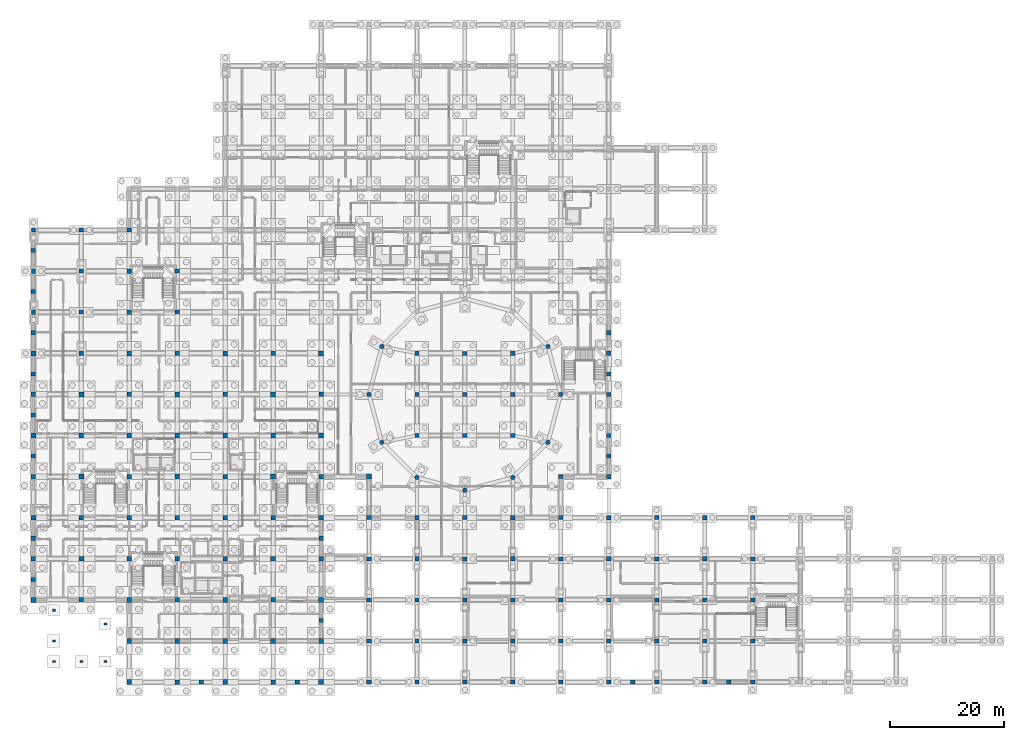
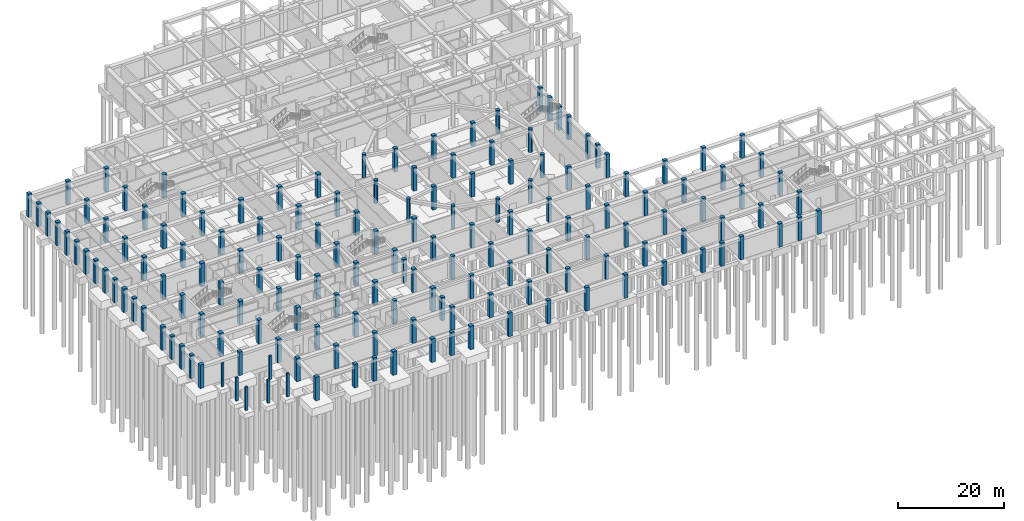
# One storey, part 9 of 32: 162 columns.
"""IFC4 building model written with IfcOpenShell, lengths in metres."""

from ifc_helpers import new_model, si_unit, derived_unit, direction, frame, origin, origin_2d, place, context, subcontext, project, spatial, rectangle, circle, extrude, material, material_profile, profile_set, type_object, element, save


model = new_model("IFC4")

# Units and contexts
model_context = context("Model", 3, precision=1e-05, world=origin(), true_north=direction((0.0, 1.0)))
body_context = subcontext(model_context, "Body", "Model", "MODEL_VIEW")
ifc_project = project(units=[si_unit("LENGTHUNIT", "METRE"), si_unit("AREAUNIT", "SQUARE_METRE"), si_unit("VOLUMEUNIT", "CUBIC_METRE"), si_unit("PLANEANGLEUNIT", "RADIAN"), si_unit("MASSUNIT", "GRAM", prefix="KILO"), derived_unit("THERMALTRANSMITTANCEUNIT", [(si_unit("POWERUNIT", "WATT"), 1), (si_unit("LENGTHUNIT", "METRE"), -2), (si_unit("THERMODYNAMICTEMPERATUREUNIT", "KELVIN"), -1)])], contexts=[model_context])

# Site, building, storey
site_placement = place(None, origin())
site = spatial("IfcSite", under=ifc_project, at=site_placement, CompositionType="ELEMENT")
building_placement = place(site_placement, origin())
building = spatial("IfcBuilding", under=site, at=building_placement, Name="Veybourne Emporium", CompositionType="ELEMENT")
storey_placement = place(building_placement, frame((0.0, 0.0, -5.39990234375)))
storey = spatial("IfcBuildingStorey", under=building, at=storey_placement, Name="B1", CompositionType="ELEMENT", Elevation=-5.39990234375)

# Columns
ifc_material = material(Name="Concrete C40/50", Category="concrete")
ifc_material_profile_1 = material_profile(ifc_material, rectangle(XDim=0.85009765625, YDim=0.85009765625, at=origin_2d()), Name="RC 850x850")
ifc_profile_set_1 = profile_set([ifc_material_profile_1], Name="Concrete C40/50")
column_type_1 = type_object("IfcColumnType", Name="Col_C-01", PredefinedType="COLUMN", material=ifc_profile_set_1)
for number, where, z_axis, x_axis, name in (
    (1, (8.39990234375, 21.60009765625, 0.0), (0.0, 0.0, 1.0), (1.0, 0.0, 0.0), "Column C-01 B1 (1,3)"),
    (2, (8.39990234375, 36.0, 0.0), (0.0, 0.0, 1.0), (1.0, 0.0, 0.0), "Column C-01 B1 (1,5)"),
    (3, (8.39990234375, 50.39990234375, 0.0), (0.0, 0.0, 1.0), (1.0, 0.0, 0.0), "Column C-01 B1 (1,7)"),
    (4, (16.800048828125, 14.39990234375, 0.0), (0.0, 0.0, 1.0), (1.0, 0.0, 0.0), "Column C-01 B1 (2,2)"),
    (5, (16.800048828125, 28.800048828125, 0.0), (0.0, 0.0, 1.0), (1.0, 0.0, 0.0), "Column C-01 B1 (2,4)"),
    (6, (16.800048828125, 43.199951171875, 0.0), (0.0, 0.0, 1.0), (1.0, 0.0, 0.0), "Column C-01 B1 (2,6)"),
    (7, (16.800048828125, 57.60009765625, 0.0), (0.0, 0.0, 1.0), (1.0, 0.0, 0.0), "Column C-01 B1 (2,8)"),
    (8, (25.199951171875, 7.199951171875, 0.0), (0.0, 0.0, 1.0), (1.0, 0.0, 0.0), "Column C-01 B1 (3,1)"),
    (9, (25.199951171875, 21.60009765625, 0.0), (0.0, 0.0, 1.0), (1.0, 0.0, 0.0), "Column C-01 B1 (3,3)"),
    (10, (25.199951171875, 36.0, 0.0), (0.0, 0.0, 1.0), (1.0, 0.0, 0.0), "Column C-01 B1 (3,5)"),
    (11, (25.199951171875, 50.39990234375, 0.0), (0.0, 0.0, 1.0), (1.0, 0.0, 0.0), "Column C-01 B1 (3,7)"),
    (12, (33.60009765625, 14.39990234375, 0.0), (0.0, 0.0, 1.0), (1.0, 0.0, 0.0), "Column C-01 B1 (4,2)"),
    (13, (33.60009765625, 28.800048828125, 0.0), (0.0, 0.0, 1.0), (1.0, 0.0, 0.0), "Column C-01 B1 (4,4)"),
    (14, (33.60009765625, 43.199951171875, 0.0), (0.0, 0.0, 1.0), (1.0, 0.0, 0.0), "Column C-01 B1 (4,6)"),
    (15, (33.60009765625, 57.60009765625, 0.0), (0.0, 0.0, 1.0), (1.0, 0.0, 0.0), "Column C-01 B1 (4,8)"),
    (16, (42.0, 7.199951171875, 0.0), (0.0, 0.0, 1.0), (1.0, 0.0, 0.0), "Column C-01 B1 (5,1)"),
    (17, (42.0, 21.60009765625, 0.0), (0.0, 0.0, 1.0), (1.0, 0.0, 0.0), "Column C-01 B1 (5,3)"),
    (18, (42.0, 36.0, 0.0), (0.0, 0.0, 1.0), (1.0, 0.0, 0.0), "Column C-01 B1 (5,5)"),
    (19, (42.0, 50.39990234375, 0.0), (0.0, 0.0, 1.0), (1.0, 0.0, 0.0), "Column C-01 B1 (5,7)"),
    (20, (50.39990234375, 14.39990234375, 0.0), (0.0, 0.0, 1.0), (1.0, 0.0, 0.0), "Column C-01 B1 (6,2)"),
    (21, (50.39990234375, 28.800048828125, 0.0), (0.0, 0.0, 1.0), (1.0, 0.0, 0.0), "Column C-01 B1 (6,4)"),
    (22, (50.39990234375, 43.199951171875, 0.0), (0.0, 0.0, 1.0), (1.0, 0.0, 0.0), "Column C-01 B1 (6,6)"),
    (23, (50.39990234375, 57.60009765625, 0.0), (0.0, 0.0, 1.0), (1.0, 0.0, 0.0), "Column C-01 B1 (6,8)"),
    (24, (58.800048828125, 36.0, 0.0), (0.0, 0.0, 1.0), (1.0, 0.0, 0.0), "Column C-01 B1 (7,5)"),
):
    element("IfcColumn", number, at=place(storey_placement, frame(where, z_axis=z_axis, x_axis=x_axis)), inside=storey, type_object=column_type_1, Name=name, PredefinedType="COLUMN", context=body_context, shape_type="SweptSolid", body=[
        extrude(rectangle(XDim=0.85009765625, YDim=0.85009765625, at=origin_2d()), origin(), (0.0, 0.0, 1.0), 5.39990234375),
    ])
ifc_material_profile_2 = material_profile(ifc_material, rectangle(XDim=0.800048828125, YDim=0.800048828125, at=origin_2d()), Name="RC 800x800")
ifc_profile_set_2 = profile_set([ifc_material_profile_2], Name="Concrete C40/50")
column_type_2 = type_object("IfcColumnType", Name="Col_C-02", PredefinedType="COLUMN", material=ifc_profile_set_2)
for number, where, z_axis, x_axis, name in (
    (25, (8.39990234375, 14.39990234375, 0.0), (0.0, 0.0, 1.0), (1.0, 0.0, 0.0), "Column C-02 B1 (1,2)"),
    (26, (8.39990234375, 28.800048828125, 0.0), (0.0, 0.0, 1.0), (1.0, 0.0, 0.0), "Column C-02 B1 (1,4)"),
    (27, (8.39990234375, 43.199951171875, 0.0), (0.0, 0.0, 1.0), (1.0, 0.0, 0.0), "Column C-02 B1 (1,6)"),
    (28, (8.39990234375, 57.60009765625, 0.0), (0.0, 0.0, 1.0), (1.0, 0.0, 0.0), "Column C-02 B1 (1,8)"),
    (29, (16.800048828125, 7.199951171875, 0.0), (0.0, 0.0, 1.0), (1.0, 0.0, 0.0), "Column C-02 B1 (2,1)"),
    (30, (16.800048828125, 21.60009765625, 0.0), (0.0, 0.0, 1.0), (1.0, 0.0, 0.0), "Column C-02 B1 (2,3)"),
    (31, (16.800048828125, 36.0, 0.0), (0.0, 0.0, 1.0), (1.0, 0.0, 0.0), "Column C-02 B1 (2,5)"),
    (32, (16.800048828125, 50.39990234375, 0.0), (0.0, 0.0, 1.0), (1.0, 0.0, 0.0), "Column C-02 B1 (2,7)"),
    (33, (25.199951171875, 14.39990234375, 0.0), (0.0, 0.0, 1.0), (1.0, 0.0, 0.0), "Column C-02 B1 (3,2)"),
    (34, (25.199951171875, 28.800048828125, 0.0), (0.0, 0.0, 1.0), (1.0, 0.0, 0.0), "Column C-02 B1 (3,4)"),
    (35, (25.199951171875, 43.199951171875, 0.0), (0.0, 0.0, 1.0), (1.0, 0.0, 0.0), "Column C-02 B1 (3,6)"),
    (36, (25.199951171875, 57.60009765625, 0.0), (0.0, 0.0, 1.0), (1.0, 0.0, 0.0), "Column C-02 B1 (3,8)"),
    (37, (33.60009765625, 7.199951171875, 0.0), (0.0, 0.0, 1.0), (1.0, 0.0, 0.0), "Column C-02 B1 (4,1)"),
    (38, (33.60009765625, 21.60009765625, 0.0), (0.0, 0.0, 1.0), (1.0, 0.0, 0.0), "Column C-02 B1 (4,3)"),
    (39, (33.60009765625, 36.0, 0.0), (0.0, 0.0, 1.0), (1.0, 0.0, 0.0), "Column C-02 B1 (4,5)"),
    (40, (33.60009765625, 50.39990234375, 0.0), (0.0, 0.0, 1.0), (1.0, 0.0, 0.0), "Column C-02 B1 (4,7)"),
    (41, (42.0, 14.39990234375, 0.0), (0.0, 0.0, 1.0), (1.0, 0.0, 0.0), "Column C-02 B1 (5,2)"),
    (42, (42.0, 28.800048828125, 0.0), (0.0, 0.0, 1.0), (1.0, 0.0, 0.0), "Column C-02 B1 (5,4)"),
    (43, (42.0, 43.199951171875, 0.0), (0.0, 0.0, 1.0), (1.0, 0.0, 0.0), "Column C-02 B1 (5,6)"),
    (44, (42.0, 57.60009765625, 0.0), (0.0, 0.0, 1.0), (1.0, 0.0, 0.0), "Column C-02 B1 (5,8)"),
    (45, (50.39990234375, 7.199951171875, 0.0), (0.0, 0.0, 1.0), (1.0, 0.0, 0.0), "Column C-02 B1 (6,1)"),
    (46, (50.39990234375, 21.60009765625, 0.0), (0.0, 0.0, 1.0), (1.0, 0.0, 0.0), "Column C-02 B1 (6,3)"),
    (47, (50.39990234375, 36.0, 0.0), (0.0, 0.0, 1.0), (1.0, 0.0, 0.0), "Column C-02 B1 (6,5)"),
    (48, (50.39990234375, 50.39990234375, 0.0), (0.0, 0.0, 1.0), (1.0, 0.0, 0.0), "Column C-02 B1 (6,7)"),
):
    element("IfcColumn", number, at=place(storey_placement, frame(where, z_axis=z_axis, x_axis=x_axis)), inside=storey, type_object=column_type_2, Name=name, PredefinedType="COLUMN", context=body_context, shape_type="SweptSolid", body=[
        extrude(rectangle(XDim=0.800048828125, YDim=0.800048828125, at=origin_2d()), origin(), (0.0, 0.0, 1.0), 5.39990234375),
    ])
ifc_material_profile_3 = material_profile(ifc_material, rectangle(XDim=0.75, YDim=0.75, at=origin_2d()), Name="RC 750x750")
ifc_profile_set_3 = profile_set([ifc_material_profile_3], Name="Concrete C40/50")
column_type_3 = type_object("IfcColumnType", Name="Col_C-03", PredefinedType="COLUMN", material=ifc_profile_set_3)
for number, where, z_axis, x_axis, name in (
    (49, (16.800048828125, 64.800048828125, 0.0), (0.0, 0.0, 1.0), (1.0, 0.0, 0.0), "Column C-03 B1 (2,9)"),
    (50, (16.800048828125, 72.0, 0.0), (0.0, 0.0, 1.0), (1.0, 0.0, 0.0), "Column C-03 B1 (2,10)"),
    (51, (16.800048828125, 79.199951171875, 0.0), (0.0, 0.0, 1.0), (1.0, 0.0, 0.0), "Column C-03 B1 (2,11)"),
    (52, (67.199951171875, 7.199951171875, 0.0), (0.0, 0.0, 1.0), (1.0, 0.0, 0.0), "Column C-03 B1 (8,1)"),
    (53, (67.199951171875, 14.39990234375, 0.0), (0.0, 0.0, 1.0), (1.0, 0.0, 0.0), "Column C-03 B1 (8,2)"),
    (54, (67.199951171875, 21.60009765625, 0.0), (0.0, 0.0, 1.0), (1.0, 0.0, 0.0), "Column C-03 B1 (8,3)"),
    (55, (67.199951171875, 28.800048828125, 0.0), (0.0, 0.0, 1.0), (1.0, 0.0, 0.0), "Column C-03 B1 (8,4)"),
    (56, (67.199951171875, 43.199951171875, 0.0), (0.0, 0.0, 1.0), (1.0, 0.0, 0.0), "Column C-03 B1 (8,6)"),
    (57, (67.199951171875, 50.39990234375, 0.0), (0.0, 0.0, 1.0), (1.0, 0.0, 0.0), "Column C-03 B1 (8,7)"),
    (58, (67.199951171875, 57.60009765625, 0.0), (0.0, 0.0, 1.0), (1.0, 0.0, 0.0), "Column C-03 B1 (8,8)"),
    (59, (84.0, 7.199951171875, 0.0), (0.0, 0.0, 1.0), (1.0, 0.0, 0.0), "Column C-03 B1 (10,1)"),
    (60, (84.0, 14.39990234375, 0.0), (0.0, 0.0, 1.0), (1.0, 0.0, 0.0), "Column C-03 B1 (10,2)"),
    (61, (84.0, 21.60009765625, 0.0), (0.0, 0.0, 1.0), (1.0, 0.0, 0.0), "Column C-03 B1 (10,3)"),
    (62, (84.0, 28.800048828125, 0.0), (0.0, 0.0, 1.0), (1.0, 0.0, 0.0), "Column C-03 B1 (10,4)"),
    (63, (84.0, 43.199951171875, 0.0), (0.0, 0.0, 1.0), (1.0, 0.0, 0.0), "Column C-03 B1 (10,6)"),
    (64, (84.0, 50.39990234375, 0.0), (0.0, 0.0, 1.0), (1.0, 0.0, 0.0), "Column C-03 B1 (10,7)"),
    (65, (84.0, 57.60009765625, 0.0), (0.0, 0.0, 1.0), (1.0, 0.0, 0.0), "Column C-03 B1 (10,8)"),
    (66, (100.800048828125, 7.199951171875, 0.0), (0.0, 0.0, 1.0), (1.0, 0.0, 0.0), "Column C-03 B1 (12,1)"),
    (67, (100.800048828125, 14.39990234375, 0.0), (0.0, 0.0, 1.0), (1.0, 0.0, 0.0), "Column C-03 B1 (12,2)"),
    (68, (100.800048828125, 21.60009765625, 0.0), (0.0, 0.0, 1.0), (1.0, 0.0, 0.0), "Column C-03 B1 (12,3)"),
    (69, (100.800048828125, 28.800048828125, 0.0), (0.0, 0.0, 1.0), (1.0, 0.0, 0.0), "Column C-03 B1 (12,4)"),
    (70, (100.800048828125, 36.0, 0.0), (0.0, 0.0, 1.0), (1.0, 0.0, 0.0), "Column C-03 B1 (12,5)"),
    (71, (100.800048828125, 43.199951171875, 0.0), (0.0, 0.0, 1.0), (1.0, 0.0, 0.0), "Column C-03 B1 (12,6)"),
    (72, (100.800048828125, 50.39990234375, 0.0), (0.0, 0.0, 1.0), (1.0, 0.0, 0.0), "Column C-03 B1 (12,7)"),
    (73, (100.800048828125, 57.60009765625, 0.0), (0.0, 0.0, 1.0), (1.0, 0.0, 0.0), "Column C-03 B1 (12,8)"),
    (74, (117.60009765625, 7.199951171875, 0.0), (0.0, 0.0, 1.0), (1.0, 0.0, 0.0), "Column C-03 B1 (14,1)"),
    (75, (117.60009765625, 14.39990234375, 0.0), (0.0, 0.0, 1.0), (1.0, 0.0, 0.0), "Column C-03 B1 (14,2)"),
    (76, (117.60009765625, 21.60009765625, 0.0), (0.0, 0.0, 1.0), (1.0, 0.0, 0.0), "Column C-03 B1 (14,3)"),
    (77, (117.60009765625, 28.800048828125, 0.0), (0.0, 0.0, 1.0), (1.0, 0.0, 0.0), "Column C-03 B1 (14,4)"),
):
    element("IfcColumn", number, at=place(storey_placement, frame(where, z_axis=z_axis, x_axis=x_axis)), inside=storey, type_object=column_type_3, Name=name, PredefinedType="COLUMN", context=body_context, shape_type="SweptSolid", body=[
        extrude(rectangle(XDim=0.75, YDim=0.75, at=origin_2d()), origin(), (0.0, 0.0, 1.0), 5.39990234375),
    ])
ifc_material_profile_4 = material_profile(ifc_material, rectangle(XDim=0.800048828125, YDim=0.699951171875, at=origin_2d()), Name="RC 800x700")
ifc_profile_set_4 = profile_set([ifc_material_profile_4], Name="Concrete C40/50")
column_type_4 = type_object("IfcColumnType", Name="Col_C-10", PredefinedType="COLUMN", material=ifc_profile_set_4)
for number, where, z_axis, x_axis, name in (
    (78, (8.39990234375, 64.800048828125, 0.0), (0.0, 0.0, 1.0), (1.0, 0.0, 0.0), "Column C-10 B1 (1,9)"),
    (79, (8.39990234375, 72.0, 0.0), (0.0, 0.0, 1.0), (1.0, 0.0, 0.0), "Column C-10 B1 (1,10)"),
    (80, (8.39990234375, 79.199951171875, 0.0), (0.0, 0.0, 1.0), (1.0, 0.0, 0.0), "Column C-10 B1 (1,11)"),
    (81, (25.199951171875, 64.800048828125, 0.0), (0.0, 0.0, 1.0), (1.0, 0.0, 0.0), "Column C-10 B1 (3,9)"),
    (82, (25.199951171875, 72.0, 0.0), (0.0, 0.0, 1.0), (1.0, 0.0, 0.0), "Column C-10 B1 (3,10)"),
    (83, (58.800048828125, 7.199951171875, 0.0), (0.0, 0.0, 1.0), (1.0, 0.0, 0.0), "Column C-10 B1 (7,1)"),
    (84, (58.800048828125, 14.39990234375, 0.0), (0.0, 0.0, 1.0), (1.0, 0.0, 0.0), "Column C-10 B1 (7,2)"),
    (85, (58.800048828125, 21.60009765625, 0.0), (0.0, 0.0, 1.0), (1.0, 0.0, 0.0), "Column C-10 B1 (7,3)"),
    (86, (58.800048828125, 28.800048828125, 0.0), (0.0, 0.0, 1.0), (1.0, 0.0, 0.0), "Column C-10 B1 (7,4)"),
    (87, (75.60009765625, 7.199951171875, 0.0), (0.0, 0.0, 1.0), (1.0, 0.0, 0.0), "Column C-10 B1 (9,1)"),
    (88, (75.60009765625, 14.39990234375, 0.0), (0.0, 0.0, 1.0), (1.0, 0.0, 0.0), "Column C-10 B1 (9,2)"),
    (89, (75.60009765625, 21.60009765625, 0.0), (0.0, 0.0, 1.0), (1.0, 0.0, 0.0), "Column C-10 B1 (9,3)"),
    (90, (75.60009765625, 28.800048828125, 0.0), (0.0, 0.0, 1.0), (1.0, 0.0, 0.0), "Column C-10 B1 (9,4)"),
    (91, (75.60009765625, 43.199951171875, 0.0), (0.0, 0.0, 1.0), (1.0, 0.0, 0.0), "Column C-10 B1 (9,6)"),
    (92, (75.60009765625, 50.39990234375, 0.0), (0.0, 0.0, 1.0), (1.0, 0.0, 0.0), "Column C-10 B1 (9,7)"),
    (93, (75.60009765625, 57.60009765625, 0.0), (0.0, 0.0, 1.0), (1.0, 0.0, 0.0), "Column C-10 B1 (9,8)"),
    (94, (92.39990234375, 7.199951171875, 0.0), (0.0, 0.0, 1.0), (1.0, 0.0, 0.0), "Column C-10 B1 (11,1)"),
    (95, (92.39990234375, 14.39990234375, 0.0), (0.0, 0.0, 1.0), (1.0, 0.0, 0.0), "Column C-10 B1 (11,2)"),
    (96, (92.39990234375, 21.60009765625, 0.0), (0.0, 0.0, 1.0), (1.0, 0.0, 0.0), "Column C-10 B1 (11,3)"),
    (97, (92.39990234375, 28.800048828125, 0.0), (0.0, 0.0, 1.0), (1.0, 0.0, 0.0), "Column C-10 B1 (11,4)"),
    (98, (92.39990234375, 36.0, 0.0), (0.0, 0.0, 1.0), (1.0, 0.0, 0.0), "Column C-10 B1 (11,5)"),
    (99, (109.199951171875, 7.199951171875, 0.0), (0.0, 0.0, 1.0), (1.0, 0.0, 0.0), "Column C-10 B1 (13,1)"),
    (100, (109.199951171875, 14.39990234375, 0.0), (0.0, 0.0, 1.0), (1.0, 0.0, 0.0), "Column C-10 B1 (13,2)"),
    (101, (109.199951171875, 21.60009765625, 0.0), (0.0, 0.0, 1.0), (1.0, 0.0, 0.0), "Column C-10 B1 (13,3)"),
    (102, (109.199951171875, 28.800048828125, 0.0), (0.0, 0.0, 1.0), (1.0, 0.0, 0.0), "Column C-10 B1 (13,4)"),
    (103, (126.0, 7.199951171875, 0.0), (0.0, 0.0, 1.0), (1.0, 0.0, 0.0), "Column C-10 B1 (15,1)"),
    (104, (126.0, 14.39990234375, 0.0), (0.0, 0.0, 1.0), (1.0, 0.0, 0.0), "Column C-10 B1 (15,2)"),
    (105, (126.0, 21.60009765625, 0.0), (0.0, 0.0, 1.0), (1.0, 0.0, 0.0), "Column C-10 B1 (15,3)"),
    (106, (126.0, 28.800048828125, 0.0), (0.0, 0.0, 1.0), (1.0, 0.0, 0.0), "Column C-10 B1 (15,4)"),
):
    element("IfcColumn", number, at=place(storey_placement, frame(where, z_axis=z_axis, x_axis=x_axis)), inside=storey, type_object=column_type_4, Name=name, PredefinedType="COLUMN", context=body_context, shape_type="SweptSolid", body=[
        extrude(rectangle(XDim=0.800048828125, YDim=0.699951171875, at=origin_2d()), origin(), (0.0, 0.0, 1.0), 5.39990234375),
    ])
ifc_material_profile_5 = material_profile(ifc_material, rectangle(XDim=0.5, YDim=0.3798828125, at=origin_2d()), Name="RC 500x380")
ifc_profile_set_5 = profile_set([ifc_material_profile_5], Name="Concrete C40/50")
column_type_5 = type_object("IfcColumnType", Name="Col_C-12", PredefinedType="COLUMN", material=ifc_profile_set_5)
for number, where, z_axis, x_axis, name in (
    (107, (12.60009765625, 3.60009765625, 0.0), (0.0, 0.0, 1.0), (1.0, 0.0, 0.0), "Canopy pedestal column 01"),
    (108, (12.60009765625, 10.199951171875, 0.0), (0.0, 0.0, 1.0), (1.0, 0.0, 0.0), "Canopy pedestal column 02"),
    (109, (3.60009765625, 12.60009765625, 0.0), (0.0, 0.0, 1.0), (1.0, 0.0, 0.0), "Canopy pedestal column 03"),
    (110, (3.60009765625, 7.199951171875, 0.0), (0.0, 0.0, 1.0), (1.0, 0.0, 0.0), "Canopy pedestal column 04"),
    (111, (3.60009765625, 3.60009765625, 0.0), (0.0, 0.0, 1.0), (1.0, 0.0, 0.0), "Canopy pedestal column 05"),
    (112, (8.39990234375, 3.60009765625, 0.0), (0.0, 0.0, 1.0), (1.0, 0.0, 0.0), "Canopy pedestal column 06"),
):
    element("IfcColumn", number, at=place(storey_placement, frame(where, z_axis=z_axis, x_axis=x_axis)), inside=storey, type_object=column_type_5, Name=name, PredefinedType="COLUMN", context=body_context, shape_type="SweptSolid", body=[
        extrude(rectangle(XDim=0.5, YDim=0.3798828125, at=origin_2d()), origin(), (0.0, 0.0, 1.0), 5.39990234375),
    ])
ifc_material_profile_6 = material_profile(ifc_material, circle(Radius=0.39990234375, at=origin_2d()), Name="RC D800")
ifc_profile_set_6 = profile_set([ifc_material_profile_6], Name="Concrete C40/50")
column_type_6 = type_object("IfcColumnType", Name="Col_CD-01", PredefinedType="COLUMN", material=ifc_profile_set_6)
for number, where, z_axis, x_axis, name in (
    (113, (92.39990234375, 50.39990234375, 0.0), (0.0, 0.0, 1.0), (1.0, 0.0, 0.0), "Atrium drum column CD-01 B1-01"),
    (114, (90.149169921875, 58.800048828125, 0.0), (0.0, 0.0, 1.0), (1.0, 0.0, 0.0), "Atrium drum column CD-01 B1-02"),
    (115, (61.05078125, 58.800048828125, 0.0), (0.0, 0.0, 1.0), (1.0, 0.0, 0.0), "Atrium drum column CD-01 B1-06"),
    (116, (58.800048828125, 50.39990234375, 0.0), (0.0, 0.0, 1.0), (1.0, 0.0, 0.0), "Atrium drum column CD-01 B1-07"),
    (117, (61.05078125, 42.0, 0.0), (0.0, 0.0, 1.0), (1.0, 0.0, 0.0), "Atrium drum column CD-01 B1-08"),
    (118, (67.199951171875, 35.850830078125, 0.0), (0.0, 0.0, 1.0), (1.0, 0.0, 0.0), "Atrium drum column CD-01 B1-09"),
    (119, (75.60009765625, 33.60009765625, 0.0), (0.0, 0.0, 1.0), (1.0, 0.0, 0.0), "Atrium drum column CD-01 B1-10"),
    (120, (84.0, 35.850830078125, 0.0), (0.0, 0.0, 1.0), (1.0, 0.0, 0.0), "Atrium drum column CD-01 B1-11"),
    (121, (90.149169921875, 42.0, 0.0), (0.0, 0.0, 1.0), (1.0, 0.0, 0.0), "Atrium drum column CD-01 B1-12"),
):
    element("IfcColumn", number, at=place(storey_placement, frame(where, z_axis=z_axis, x_axis=x_axis)), inside=storey, type_object=column_type_6, Name=name, PredefinedType="COLUMN", context=body_context, shape_type="SweptSolid", body=[
        extrude(circle(Radius=0.39990234375, at=origin_2d()), origin(), (0.0, 0.0, 1.0), 5.39990234375),
    ])
ifc_material_profile_7 = material_profile(ifc_material, rectangle(XDim=0.85009765625, YDim=0.85009765625, at=origin_2d()), Name="RC 850x850")
ifc_profile_set_7 = profile_set([ifc_material_profile_7], Name="Concrete C40/50")
column_type_7 = type_object("IfcColumnType", Name="Col_CE-01", PredefinedType="COLUMN", material=ifc_profile_set_7)
for number, where, z_axis, x_axis, name in (
    (122, (0.0, 14.39990234375, 0.0), (0.0, 0.0, 1.0), (1.0, 0.0, 0.0), "Column CE-01 B1 (0,2)"),
    (123, (0.0, 28.800048828125, 0.0), (0.0, 0.0, 1.0), (1.0, 0.0, 0.0), "Column CE-01 B1 (0,4)"),
    (124, (0.0, 43.199951171875, 0.0), (0.0, 0.0, 1.0), (1.0, 0.0, 0.0), "Column CE-01 B1 (0,6)"),
    (125, (0.0, 57.60009765625, 0.0), (0.0, 0.0, 1.0), (1.0, 0.0, 0.0), "Column CE-01 B1 (0,8)"),
    (126, (16.800048828125, 0.0, 0.0), (0.0, 0.0, 1.0), (1.0, 0.0, 0.0), "Column CE-01 B1 (2,0)"),
    (127, (33.60009765625, 0.0, 0.0), (0.0, 0.0, 1.0), (1.0, 0.0, 0.0), "Column CE-01 B1 (4,0)"),
    (128, (50.39990234375, 0.0, 0.0), (0.0, 0.0, 1.0), (1.0, 0.0, 0.0), "Column CE-01 B1 (6,0)"),
):
    element("IfcColumn", number, at=place(storey_placement, frame(where, z_axis=z_axis, x_axis=x_axis)), inside=storey, type_object=column_type_7, Name=name, PredefinedType="COLUMN", context=body_context, shape_type="SweptSolid", body=[
        extrude(rectangle(XDim=0.85009765625, YDim=0.85009765625, at=origin_2d()), origin(), (0.0, 0.0, 1.0), 5.39990234375),
    ])
ifc_material_profile_8 = material_profile(ifc_material, rectangle(XDim=0.800048828125, YDim=0.800048828125, at=origin_2d()), Name="RC 800x800")
ifc_profile_set_8 = profile_set([ifc_material_profile_8], Name="Concrete C40/50")
column_type_8 = type_object("IfcColumnType", Name="Col_CE-02", PredefinedType="COLUMN", material=ifc_profile_set_8)
for number, where, z_axis, x_axis, name in (
    (129, (0.0, 21.60009765625, 0.0), (0.0, 0.0, 1.0), (1.0, 0.0, 0.0), "Column CE-02 B1 (0,3)"),
    (130, (0.0, 36.0, 0.0), (0.0, 0.0, 1.0), (1.0, 0.0, 0.0), "Column CE-02 B1 (0,5)"),
    (131, (0.0, 50.39990234375, 0.0), (0.0, 0.0, 1.0), (1.0, 0.0, 0.0), "Column CE-02 B1 (0,7)"),
    (132, (25.199951171875, 0.0, 0.0), (0.0, 0.0, 1.0), (1.0, 0.0, 0.0), "Column CE-02 B1 (3,0)"),
    (133, (42.0, 0.0, 0.0), (0.0, 0.0, 1.0), (1.0, 0.0, 0.0), "Column CE-02 B1 (5,0)"),
):
    element("IfcColumn", number, at=place(storey_placement, frame(where, z_axis=z_axis, x_axis=x_axis)), inside=storey, type_object=column_type_8, Name=name, PredefinedType="COLUMN", context=body_context, shape_type="SweptSolid", body=[
        extrude(rectangle(XDim=0.800048828125, YDim=0.800048828125, at=origin_2d()), origin(), (0.0, 0.0, 1.0), 5.39990234375),
    ])
ifc_material_profile_9 = material_profile(ifc_material, rectangle(XDim=0.75, YDim=0.75, at=origin_2d()), Name="RC 750x750")
ifc_profile_set_9 = profile_set([ifc_material_profile_9], Name="Concrete C40/50")
column_type_9 = type_object("IfcColumnType", Name="Col_CE-03", PredefinedType="COLUMN", material=ifc_profile_set_9)
for number, where, z_axis, x_axis, name in (
    (134, (0.0, 64.800048828125, 0.0), (0.0, 0.0, 1.0), (1.0, 0.0, 0.0), "Column CE-03 B1 (0,9)"),
    (135, (0.0, 72.0, 0.0), (0.0, 0.0, 1.0), (1.0, 0.0, 0.0), "Column CE-03 B1 (0,10)"),
    (136, (0.0, 79.199951171875, 0.0), (0.0, 0.0, 1.0), (1.0, 0.0, 0.0), "Column CE-03 B1 (0,11)"),
    (137, (67.199951171875, 0.0, 0.0), (0.0, 0.0, 1.0), (1.0, 0.0, 0.0), "Column CE-03 B1 (8,0)"),
    (138, (84.0, 0.0, 0.0), (0.0, 0.0, 1.0), (1.0, 0.0, 0.0), "Column CE-03 B1 (10,0)"),
    (139, (100.800048828125, 0.0, 0.0), (0.0, 0.0, 1.0), (1.0, 0.0, 0.0), "Column CE-03 B1 (12,0)"),
    (140, (117.60009765625, 0.0, 0.0), (0.0, 0.0, 1.0), (1.0, 0.0, 0.0), "Column CE-03 B1 (14,0)"),
):
    element("IfcColumn", number, at=place(storey_placement, frame(where, z_axis=z_axis, x_axis=x_axis)), inside=storey, type_object=column_type_9, Name=name, PredefinedType="COLUMN", context=body_context, shape_type="SweptSolid", body=[
        extrude(rectangle(XDim=0.75, YDim=0.75, at=origin_2d()), origin(), (0.0, 0.0, 1.0), 5.39990234375),
    ])
ifc_material_profile_10 = material_profile(ifc_material, rectangle(XDim=0.800048828125, YDim=0.699951171875, at=origin_2d()), Name="RC 800x700")
ifc_profile_set_10 = profile_set([ifc_material_profile_10], Name="Concrete C40/50")
column_type_10 = type_object("IfcColumnType", Name="Col_CE-10", PredefinedType="COLUMN", material=ifc_profile_set_10)
for number, where, z_axis, x_axis, name in (
    (141, (58.800048828125, 0.0, 0.0), (0.0, 0.0, 1.0), (1.0, 0.0, 0.0), "Column CE-10 B1 (7,0)"),
    (142, (75.60009765625, 0.0, 0.0), (0.0, 0.0, 1.0), (1.0, 0.0, 0.0), "Column CE-10 B1 (9,0)"),
    (143, (92.39990234375, 0.0, 0.0), (0.0, 0.0, 1.0), (1.0, 0.0, 0.0), "Column CE-10 B1 (11,0)"),
    (144, (109.199951171875, 0.0, 0.0), (0.0, 0.0, 1.0), (1.0, 0.0, 0.0), "Column CE-10 B1 (13,0)"),
    (145, (126.0, 0.0, 0.0), (0.0, 0.0, 1.0), (1.0, 0.0, 0.0), "Column CE-10 B1 (15,0)"),
):
    element("IfcColumn", number, at=place(storey_placement, frame(where, z_axis=z_axis, x_axis=x_axis)), inside=storey, type_object=column_type_10, Name=name, PredefinedType="COLUMN", context=body_context, shape_type="SweptSolid", body=[
        extrude(rectangle(XDim=0.800048828125, YDim=0.699951171875, at=origin_2d()), origin(), (0.0, 0.0, 1.0), 5.39990234375),
    ])
ifc_material_profile_11 = material_profile(ifc_material, rectangle(XDim=0.780029296875, YDim=0.719970703125, at=origin_2d()), Name="RC 780x720")
ifc_profile_set_11 = profile_set([ifc_material_profile_11], Name="Concrete C40/50")
column_type_11 = type_object("IfcColumnType", Name="Col_CE-11", PredefinedType="PILASTER", material=ifc_profile_set_11)
for number, where, z_axis, x_axis, name in (
    (146, (0.0, 18.0, 0.0), (0.0, 0.0, 1.0), (1.0, 0.0, 0.0), "Fluted stone pilaster CE-11 B1-01"),
    (147, (0.0, 25.199951171875, 0.0), (0.0, 0.0, 1.0), (1.0, 0.0, 0.0), "Fluted stone pilaster CE-11 B1-02"),
    (148, (0.0, 39.60009765625, 0.0), (0.0, 0.0, 1.0), (1.0, 0.0, 0.0), "Fluted stone pilaster CE-11 B1-03"),
    (149, (0.0, 46.800048828125, 0.0), (0.0, 0.0, 1.0), (1.0, 0.0, 0.0), "Fluted stone pilaster CE-11 B1-04"),
    (150, (0.0, 54.0, 0.0), (0.0, 0.0, 1.0), (1.0, 0.0, 0.0), "Fluted stone pilaster CE-11 B1-05"),
    (151, (0.0, 61.199951171875, 0.0), (0.0, 0.0, 1.0), (1.0, 0.0, 0.0), "Fluted stone pilaster CE-11 B1-06"),
    (152, (0.0, 68.39990234375, 0.0), (0.0, 0.0, 1.0), (1.0, 0.0, 0.0), "Fluted stone pilaster CE-11 B1-07"),
    (153, (0.0, 75.60009765625, 0.0), (0.0, 0.0, 1.0), (1.0, 0.0, 0.0), "Fluted stone pilaster CE-11 B1-08"),
    (154, (29.39990234375, 0.0, 0.0), (0.0, 0.0, 1.0), (1.0, 0.0, 0.0), "Fluted stone pilaster CE-11 B1-13"),
    (155, (46.199951171875, 0.0, 0.0), (0.0, 0.0, 1.0), (1.0, 0.0, 0.0), "Fluted stone pilaster CE-11 B1-14"),
    (156, (105.0, 0.0, 0.0), (0.0, 0.0, 1.0), (1.0, 0.0, 0.0), "Fluted stone pilaster CE-11 B1-15"),
    (157, (121.800048828125, 0.0, 0.0), (0.0, 0.0, 1.0), (1.0, 0.0, 0.0), "Fluted stone pilaster CE-11 B1-16"),
    (158, (50.39990234375, 10.800048828125, 0.0), (0.0, 0.0, 1.0), (1.0, 0.0, 0.0), "Fluted stone pilaster CE-11 B1-18"),
    (159, (50.39990234375, 25.199951171875, 0.0), (0.0, 0.0, 1.0), (1.0, 0.0, 0.0), "Fluted stone pilaster CE-11 B1-19"),
    (160, (100.800048828125, 39.60009765625, 0.0), (0.0, 0.0, 1.0), (1.0, 0.0, 0.0), "Fluted stone pilaster CE-11 B1-20"),
    (161, (100.800048828125, 54.0, 0.0), (0.0, 0.0, 1.0), (1.0, 0.0, 0.0), "Fluted stone pilaster CE-11 B1-21"),
    (162, (100.800048828125, 61.199951171875, 0.0), (0.0, 0.0, 1.0), (1.0, 0.0, 0.0), "Fluted stone pilaster CE-11 B1-22"),
):
    element("IfcColumn", number, at=place(storey_placement, frame(where, z_axis=z_axis, x_axis=x_axis)), inside=storey, type_object=column_type_11, Name=name, PredefinedType="PILASTER", context=body_context, shape_type="SweptSolid", body=[
        extrude(rectangle(XDim=0.780029296875, YDim=0.719970703125, at=origin_2d()), origin(), (0.0, 0.0, 1.0), 5.39990234375),
    ])

save(model, "model.ifc")
